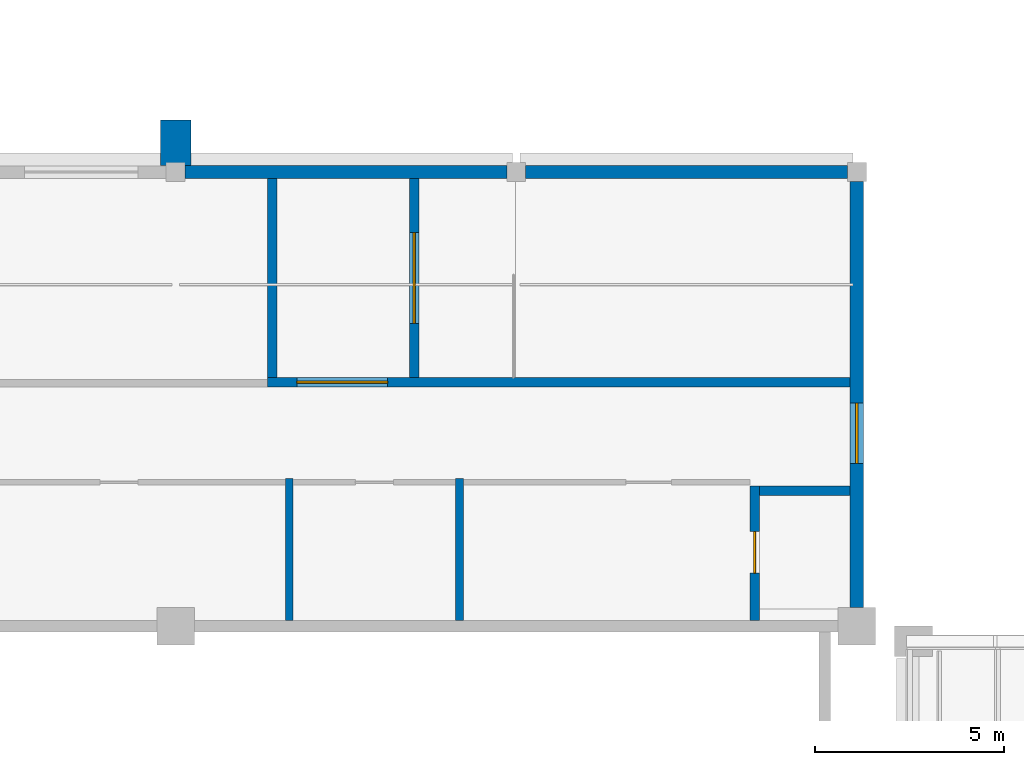
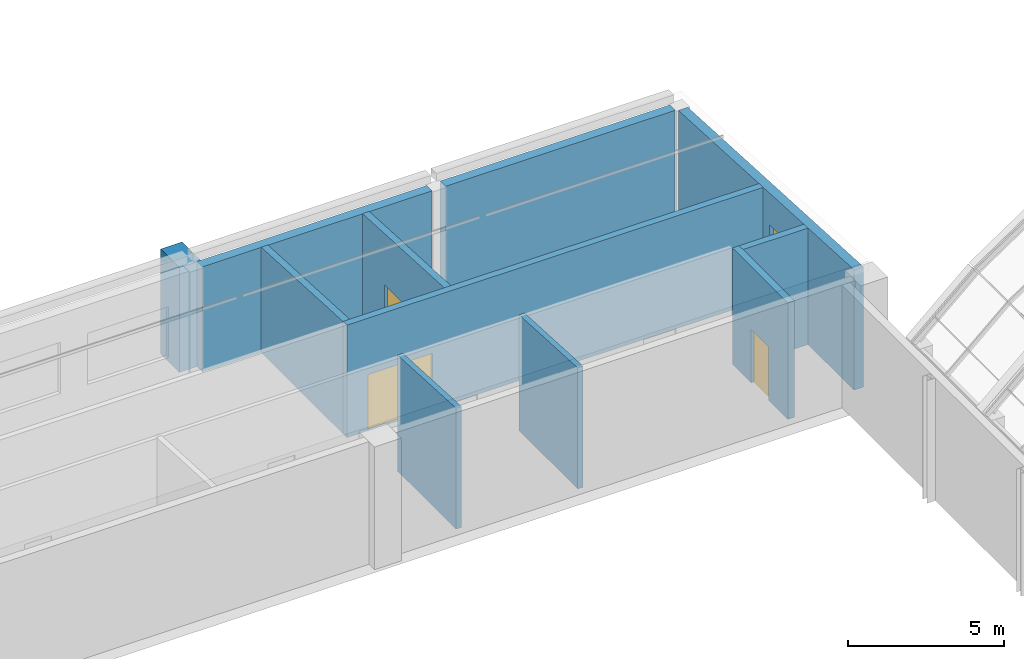
# One storey, part 146 of 182: 11 walls, 3 doors, 1 window, 4 openings.
"""IFC4 building model written with IfcOpenShell, lengths in metres."""

from ifc_helpers import new_model, si_unit, direction, frame, frame_2d, origin, place, context, subcontext, project, spatial, polyline, rectangle, outline, extrude, material, layer, layer_set, type_object, element, fill, save


model = new_model("IFC4")

# Units and contexts
model_context = context("Model", 3, precision=1e-05, world=origin(), true_north=direction((0.0, 1.0)))
body_context = subcontext(model_context, "Body", "Model", "MODEL_VIEW")
ifc_project = project(units=[si_unit("LENGTHUNIT", "METRE"), si_unit("AREAUNIT", "SQUARE_METRE"), si_unit("VOLUMEUNIT", "CUBIC_METRE"), si_unit("PLANEANGLEUNIT", "RADIAN"), si_unit("MASSUNIT", "GRAM", prefix="KILO")], contexts=[model_context])

# Site, building, storey
site_placement = place(None, origin())
site = spatial("IfcSite", under=ifc_project, at=site_placement, CompositionType="ELEMENT")
building_placement = place(site_placement, origin())
building = spatial("IfcBuilding", under=site, at=building_placement, Name="Okhra Congress Centre", CompositionType="ELEMENT")
storey_placement = place(building_placement, frame((0.0, 0.0, 7.199951171875)))
storey = spatial("IfcBuildingStorey", under=building, at=storey_placement, Name="L01", CompositionType="ELEMENT", Elevation=7.199951171875)

# Walls
ifc_material_1 = material(Name="Double gypsum board on steel studs with mineral wool", Category="steel")
ifc_layer_1 = layer(ifc_material_1, 0.199951171875)
ifc_layer_set_1 = layer_set([ifc_layer_1], Name="Acoustic partition 200")
wall_type_1 = type_object("IfcWallType", Name="Acoustic partition 200", PredefinedType="PARTITIONING", material=ifc_layer_set_1)
for number, where, z_axis, x_axis, name in (
    (1, (139.0, 216.14990234375, 0.0), (0.0, 0.0, 1.0), (0.0, 1.0, 0.0), "EH.WALL.L01.74"),
    (2, (143.5, 216.14990234375, 0.0), (0.0, 0.0, 1.0), (0.0, 1.0, 0.0), "EH.WALL.L01.75"),
):
    element("IfcWall", number, at=place(storey_placement, frame(where, z_axis=z_axis, x_axis=x_axis)), inside=storey, type_object=wall_type_1, Name=name, PredefinedType="PARTITIONING", context=body_context, shape_type="SweptSolid", body=[
        extrude(outline(polyline([(0.0, 0.0), (3.75, 0.0), (3.75, 4.54052734375), (0.0, 4.737060546875), (0.0, 0.0)])), frame((0.0, 0.10009765625, 0.0), z_axis=(0.0, -1.0, 0.0), x_axis=(1.0, 0.0, 0.0)), (0.0, 0.0, 1.0), 0.199951171875),
    ])
ifc_material_2 = material(Name="Concrete C35/45", Category="concrete")
ifc_layer_2 = layer(ifc_material_2, 0.800048828125)
ifc_layer_set_2 = layer_set([ifc_layer_2], Name="Buttress fin 800 REI 120 C35/45")
wall_type_2 = type_object("IfcWallType", Name="Buttress fin 800 REI 120 C35/45", PredefinedType="SOLIDWALL", material=ifc_layer_set_2)
wall_1_placement = place(storey_placement, frame((136.0, 228.169921875, 0.0), z_axis=(0.0, 0.0, 1.0), x_axis=(0.0, 1.0, 0.0)))
element("IfcWall", 3, at=wall_1_placement, inside=storey, type_object=wall_type_2, Name="EH.WALL.L01.63", PredefinedType="SOLIDWALL", context=body_context, shape_type="SweptSolid", body=[
    extrude(rectangle(XDim=1.205078125, YDim=0.800048828125, at=frame_2d((0.6025390625, 0.0))), origin(), (0.0, 0.0, 1.0), 4.10009765625),
])

# Wall, opening, door
ifc_material_3 = material(Name="Concrete C30/37", Category="concrete")
ifc_layer_3 = layer(ifc_material_3, 0.25)
ifc_layer_set_3 = layer_set([ifc_layer_3], Name="RC wall 250 REI 120 C30/37")
wall_type_3 = type_object("IfcWallType", Name="RC wall 250 REI 120 C30/37", PredefinedType="SOLIDWALL", material=ifc_layer_set_3)
wall_2_placement = place(storey_placement, frame((138.425048828125, 222.449951171875, 0.0), z_axis=(0.0, 0.0, 1.0), x_axis=(1.0, 0.0, 0.0)))
wall_2 = element("IfcWall", 4, at=wall_2_placement, inside=storey, type_object=wall_type_3, Name="EH.WALL.L01.54", PredefinedType="SOLIDWALL", context=body_context, shape_type="SweptSolid", body=[
    extrude(rectangle(XDim=15.39990234375, YDim=0.25, at=frame_2d((7.699951171875, 0.0))), origin(), (0.0, 0.0, 1.0), 4.405517578125),
])
opening_1_placement = place(wall_2_placement, frame((0.77490234375, 0.0, 0.0)))
opening_1 = element("IfcOpeningElement", 5, at=opening_1_placement, cuts=wall_2, Name="Opening L01-005", PredefinedType="OPENING", context=body_context, shape_type="SweptSolid", body=[
    extrude(rectangle(XDim=2.39990234375, YDim=2.199951171875, at=frame_2d((1.199951171875, 1.10009765625))), frame((0.0, 0.135009765625, 0.0), z_axis=(0.0, -1.0, 0.0), x_axis=(1.0, 0.0, 0.0)), (0.0, 0.0, 1.0), 0.27001953125),
])
ifc_material_4 = material(Name="Steel fire door leaves in steel frame, intumescent seals", Category="steel")
door_type_1 = type_object("IfcDoorType", Name="Steel fire door pair 2400x2200 EI 30", OperationType="NOTDEFINED", PredefinedType="DOOR", material=ifc_material_4)
door_1_placement = place(opening_1_placement, origin())
door_1 = element("IfcDoor", 6, at=door_1_placement, inside=storey, type_object=door_type_1, Name="Door L01-005", OperationType="DOUBLE_DOOR_SINGLE_SWING", OverallHeight=2.199951171875, OverallWidth=2.39990234375, PredefinedType="DOOR", context=body_context, shape_type="SweptSolid", body=[
    extrude(rectangle(XDim=2.39990234375, YDim=2.199951171875, at=frame_2d((1.199951171875, 1.10009765625))), frame((0.0, 0.02490234375, 0.0), z_axis=(0.0, -1.0, 0.0), x_axis=(1.0, 0.0, 0.0)), (0.0, 0.0, 1.0), 0.050048828125),
])
fill(opening_1, door_1)

wall_3_placement = place(storey_placement, frame((142.300048828125, 222.574951171875, 0.0), z_axis=(0.0, 0.0, 1.0), x_axis=(0.0, 1.0, 0.0)))
wall_3 = element("IfcWall", 7, at=wall_3_placement, inside=storey, type_object=wall_type_3, Name="EH.WALL.L01.55", PredefinedType="SOLIDWALL", context=body_context, shape_type="SweptSolid", body=[
    extrude(outline(polyline([(0.0, 0.0), (5.25, 0.0), (5.25, 4.123779296875), (0.0, 4.39892578125), (0.0, 0.0)])), frame((0.0, 0.125, 0.0), z_axis=(0.0, -1.0, 0.0), x_axis=(1.0, 0.0, 0.0)), (0.0, 0.0, 1.0), 0.25),
])
opening_2_placement = place(wall_3_placement, frame((1.425048828125, 0.0, 0.0)))
opening_2 = element("IfcOpeningElement", 8, at=opening_2_placement, cuts=wall_3, Name="Opening L01-006", PredefinedType="OPENING", context=body_context, shape_type="SweptSolid", body=[
    extrude(rectangle(XDim=2.39990234375, YDim=2.199951171875, at=frame_2d((1.199951171875, 1.10009765625))), frame((0.0, 0.135009765625, 0.0), z_axis=(0.0, -1.0, 0.0), x_axis=(1.0, 0.0, 0.0)), (0.0, 0.0, 1.0), 0.27001953125),
])
door_2_placement = place(opening_2_placement, origin())
door_2 = element("IfcDoor", 9, at=door_2_placement, inside=storey, type_object=door_type_1, Name="Door L01-006", OperationType="DOUBLE_DOOR_SINGLE_SWING", OverallHeight=2.199951171875, OverallWidth=2.39990234375, PredefinedType="DOOR", context=body_context, shape_type="SweptSolid", body=[
    extrude(rectangle(XDim=2.39990234375, YDim=2.199951171875, at=frame_2d((1.199951171875, 1.10009765625))), frame((0.0, 0.02490234375, 0.0), z_axis=(0.0, -1.0, 0.0), x_axis=(1.0, 0.0, 0.0)), (0.0, 0.0, 1.0), 0.050048828125),
])
fill(opening_2, door_2)

# Wall
wall_4_placement = place(storey_placement, frame((138.550048828125, 222.574951171875, 0.0), z_axis=(0.0, 0.0, 1.0), x_axis=(0.0, 1.0, 0.0)))
element("IfcWall", 10, at=wall_4_placement, inside=storey, type_object=wall_type_3, Name="EH.WALL.L01.56", PredefinedType="SOLIDWALL", context=body_context, shape_type="SweptSolid", body=[
    extrude(outline(polyline([(0.0, 0.0), (5.25, 0.0), (5.25, 4.123779296875), (0.0, 4.39892578125), (0.0, 0.0)])), frame((0.0, 0.125, 0.0), z_axis=(0.0, -1.0, 0.0), x_axis=(1.0, 0.0, 0.0)), (0.0, 0.0, 1.0), 0.25),
])

# Wall, opening, door
wall_5_placement = place(storey_placement, frame((151.300048828125, 216.14990234375, 0.0), z_axis=(0.0, 0.0, 1.0), x_axis=(0.0, 1.0, 0.0)))
wall_5 = element("IfcWall", 11, at=wall_5_placement, inside=storey, type_object=wall_type_3, Name="EH.WALL.L01.64", PredefinedType="SOLIDWALL", context=body_context, shape_type="SweptSolid", body=[
    extrude(rectangle(XDim=3.550048828125, YDim=0.25, at=frame_2d((1.77490234375, 0.0))), origin(), (0.0, 0.0, 1.0), 4.55615234375),
])
opening_3_placement = place(wall_5_placement, frame((1.25, 0.0, 0.0)))
opening_3 = element("IfcOpeningElement", 12, at=opening_3_placement, cuts=wall_5, Name="Opening L01-007", PredefinedType="OPENING", context=body_context, shape_type="SweptSolid", body=[
    extrude(rectangle(XDim=1.10009765625, YDim=2.10009765625, at=frame_2d((0.550048828125, 1.050048828125))), frame((0.0, 0.135009765625, 0.0), z_axis=(0.0, -1.0, 0.0), x_axis=(1.0, 0.0, 0.0)), (0.0, 0.0, 1.0), 0.27001953125),
])
ifc_material_5 = material(Name="Stainless steel sliding landing door leaves", Category="steel")
door_type_2 = type_object("IfcDoorType", Name="Lift landing door 1100x2100 EI 30", OperationType="DOUBLE_DOOR_SLIDING", PredefinedType="DOOR", material=ifc_material_5)
door_3_placement = place(opening_3_placement, origin())
door_3 = element("IfcDoor", 13, at=door_3_placement, inside=storey, type_object=door_type_2, Name="Door L01-007", OperationType="DOUBLE_DOOR_SLIDING", OverallHeight=2.10009765625, OverallWidth=1.10009765625, PredefinedType="DOOR", context=body_context, shape_type="SweptSolid", body=[
    extrude(rectangle(XDim=1.10009765625, YDim=2.10009765625, at=frame_2d((0.550048828125, 1.050048828125))), frame((0.0, 0.02490234375, 0.0), z_axis=(0.0, -1.0, 0.0), x_axis=(1.0, 0.0, 0.0)), (0.0, 0.0, 1.0), 0.050048828125),
])
fill(opening_3, door_3)

# Wall
wall_6_placement = place(storey_placement, frame((151.425048828125, 219.574951171875, 0.0), z_axis=(0.0, 0.0, 1.0), x_axis=(1.0, 0.0, 0.0)))
element("IfcWall", 14, at=wall_6_placement, inside=storey, type_object=wall_type_3, Name="EH.WALL.L01.65", PredefinedType="SOLIDWALL", context=body_context, shape_type="SweptSolid", body=[
    extrude(rectangle(XDim=2.39990234375, YDim=0.25, at=frame_2d((1.199951171875, 0.0))), origin(), (0.0, 0.0, 1.0), 4.55615234375),
])

# Wall, opening, window
ifc_layer_4 = layer(ifc_material_3, 0.35009765625)
ifc_layer_set_4 = layer_set([ifc_layer_4], Name="RC wall 350 REI 120 C30/37")
wall_type_4 = type_object("IfcWallType", Name="RC wall 350 REI 120 C30/37", PredefinedType="SOLIDWALL", material=ifc_layer_set_4)
wall_7_placement = place(storey_placement, frame((154.0, 216.5, 0.0), z_axis=(0.0, 0.0, 1.0), x_axis=(0.0, 1.0, 0.0)))
wall_7 = element("IfcWall", 15, at=wall_7_placement, inside=storey, type_object=wall_type_4, Name="EH.WALL.L01.32", PredefinedType="SOLIDWALL", context=body_context, shape_type="SweptSolid", body=[
    extrude(outline(polyline([(0.0, 0.0), (11.25, 0.0), (11.25, 4.125), (0.0, 4.714599609375), (0.0, 0.0)])), frame((0.0, 0.175048828125, 0.0), z_axis=(0.0, -1.0, 0.0), x_axis=(1.0, 0.0, 0.0)), (0.0, 0.0, 1.0), 0.35009765625),
])
opening_4_placement = place(wall_7_placement, frame((3.800048828125, 0.0, 1.0)))
opening_4 = element("IfcOpeningElement", 16, at=opening_4_placement, cuts=wall_7, Name="Opening WN7", PredefinedType="OPENING", context=body_context, shape_type="SweptSolid", body=[
    extrude(rectangle(XDim=1.60009765625, YDim=2.199951171875, at=frame_2d((0.800048828125, 1.10009765625))), frame((0.0, 0.18505859375, 0.0), z_axis=(0.0, -1.0, 0.0), x_axis=(1.0, 0.0, 0.0)), (0.0, 0.0, 1.0), 0.3701171875),
])
ifc_material_6 = material(Name="Thermally broken aluminium frame, triple glazing", Category="aluminium")
window_type = type_object("IfcWindowType", Name="Fixed window 1600x2200", PartitioningType="SINGLE_PANEL", PredefinedType="WINDOW", material=ifc_material_6)
window_placement = place(opening_4_placement, origin())
window = element("IfcWindow", 17, at=window_placement, inside=storey, type_object=window_type, Name="EH.WIN.L01.45", OverallHeight=2.199951171875, OverallWidth=1.60009765625, PartitioningType="SINGLE_PANEL", PredefinedType="WINDOW", context=body_context, shape_type="SweptSolid", body=[
    extrude(rectangle(XDim=1.60009765625, YDim=2.199951171875, at=frame_2d((0.800048828125, 1.10009765625))), frame((0.0, 0.030029296875, 0.0), z_axis=(0.0, -1.0, 0.0), x_axis=(1.0, 0.0, 0.0)), (0.0, 0.0, 1.0), 0.06005859375),
])
fill(opening_4, window)

# Walls
for number, where, z_axis, x_axis, name in (
    (18, (136.25, 228.0, 0.0), (0.0, 0.0, 1.0), (1.0, 0.0, 0.0), "EH.WALL.L01.45"),
    (19, (145.25, 228.0, 0.0), (0.0, 0.0, 1.0), (1.0, 0.0, 0.0), "EH.WALL.L01.46"),
):
    element("IfcWall", number, at=place(storey_placement, frame(where, z_axis=z_axis, x_axis=x_axis)), inside=storey, type_object=wall_type_4, Name=name, PredefinedType="SOLIDWALL", context=body_context, shape_type="SweptSolid", body=[
        extrude(rectangle(XDim=8.5, YDim=0.35009765625, at=frame_2d((4.25, 0.0))), origin(), (0.0, 0.0, 1.0), 4.112060546875),
    ])

save(model, "model.ifc")
